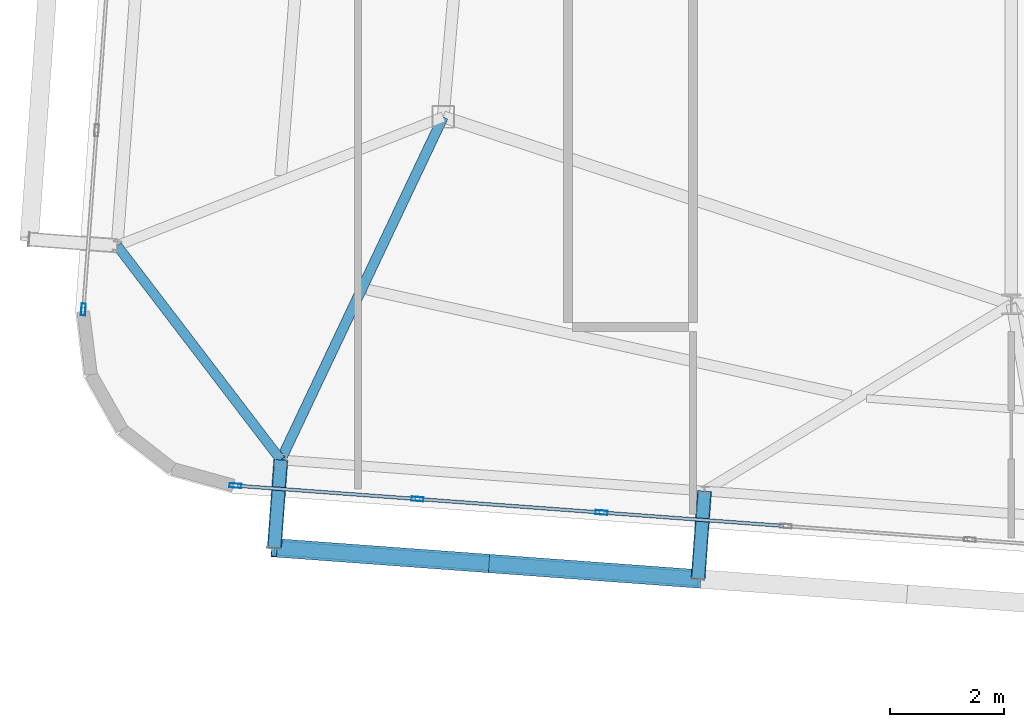
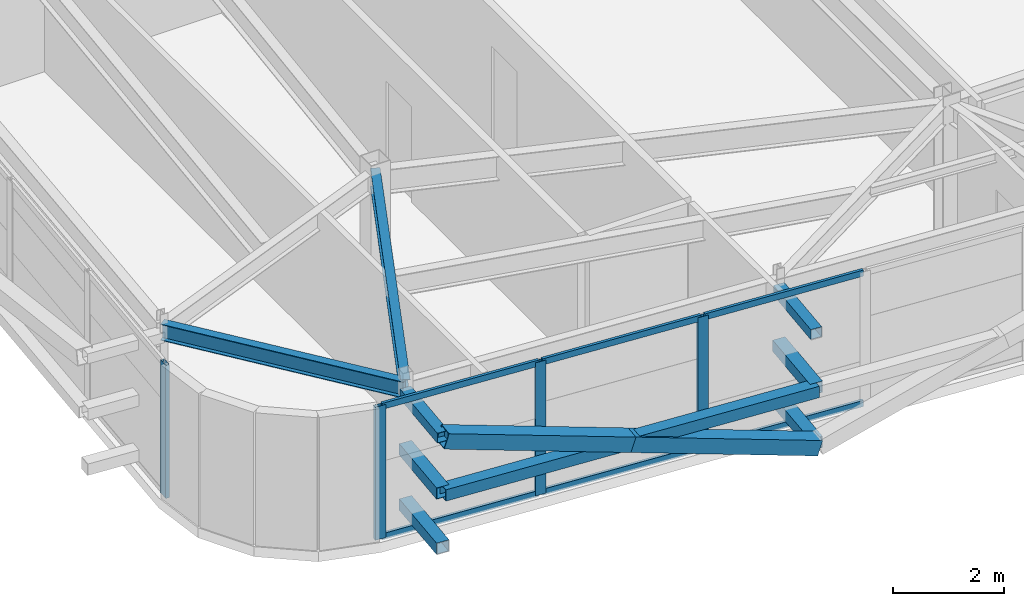
# One storey, part 9 of 42: 19 members, 2 beams, 2 elements without a shape of their own.
"""IFC4 building model written with IfcOpenShell, lengths in metres."""

from ifc_helpers import new_model, si_unit, direction, frame, origin, origin_2d, place, context, subcontext, project, spatial, hollow_rectangle, i_section, extrude, source, transform, mapped, material, layer, layer_set, material_profile, profile_set, type_object, element, aggregate, save


model = new_model("IFC4")

# Units and contexts
model_context = context("Model", 3, precision=1e-05, world=origin(), true_north=direction((0.0, 1.0)))
body_context = subcontext(model_context, "Body", "Model", "MODEL_VIEW")
ifc_project = project(units=[si_unit("LENGTHUNIT", "METRE"), si_unit("AREAUNIT", "SQUARE_METRE"), si_unit("VOLUMEUNIT", "CUBIC_METRE"), si_unit("PLANEANGLEUNIT", "RADIAN"), si_unit("MASSUNIT", "GRAM", prefix="KILO")], contexts=[model_context])

# Site, building, storey
site_placement = place(None, origin())
site = spatial("IfcSite", under=ifc_project, at=site_placement, CompositionType="ELEMENT")
building_placement = place(site_placement, origin())
building = spatial("IfcBuilding", under=site, at=building_placement, Name="Taldren Reach Tower", CompositionType="ELEMENT")
storey_placement = place(building_placement, frame((0.0, 0.0, 214.550048828125)))
storey = spatial("IfcBuildingStorey", under=building, at=storey_placement, Name="L65", CompositionType="ELEMENT", Elevation=214.550048828125)

# Members
ifc_material_1 = material(Name="Steel Gr 350 (C350L0)", Category="steel")
ifc_material_profile_1 = material_profile(ifc_material_1, hollow_rectangle(XDim=0.25, YDim=0.25, WallThickness=0.010009765625, at=origin_2d()), Name="250x250x10.0SHS")
ifc_profile_set_1 = profile_set([ifc_material_profile_1], Name="Steel Gr 350 (C350L0)")
member_type_1 = type_object("IfcMemberType", Name="MB-POST250", PredefinedType="POST", material=ifc_profile_set_1)
shared_shape_1 = source(origin(), body_context, "Body", "SweptSolid", [
    extrude(hollow_rectangle(XDim=0.25, YDim=0.25, WallThickness=0.010009765625, at=origin_2d()), origin(), (0.0, 0.0, 1.0), 1.5498046875),
])
for number, where, z_axis, x_axis, name in (
    (1, (22.6005859375, 5.912353515625, 0.219970703125), (-0.073250797913, -0.997313551801, 0.0), (0.997313551801, -0.073250797913, 0.0), "Exoskeleton base diaphragm tie strut B5-S2 L65"),
    (2, (22.6005859375, 5.912353515625, 1.43505859375), (-0.073250797913, -0.997313551801, 0.0), (0.997313551801, -0.073250797913, 0.0), "Exoskeleton mid-tier diaphragm tie B5-S2 L65"),
):
    element("IfcMember", number, at=place(storey_placement, frame(where, z_axis=z_axis, x_axis=x_axis)), inside=storey, type_object=member_type_1, Name=name, PredefinedType="POST", context=body_context, shape_type="MappedRepresentation", body=[
        mapped(shared_shape_1, transform((0.0, 0.0, 0.0), scale=1.0)),
    ])
shared_shape_2 = source(origin(), body_context, "Body", "SweptSolid", [
    extrude(hollow_rectangle(XDim=0.25, YDim=0.25, WallThickness=0.010009765625, at=origin_2d()), origin(), (0.0, 0.0, 1.0), 1.550048828125),
])
for number, where, z_axis, x_axis, name in (
    (3, (15.140625, 6.460205078125, 0.219970703125), (-0.07323929162, -0.997314396849, 0.0), (0.997314396849, -0.07323929162, 0.0), "Exoskeleton base diaphragm tie strut B5-S1 L65"),
    (4, (15.140625, 6.460205078125, 1.43505859375), (-0.07323929162, -0.997314396849, 0.0), (0.997314396849, -0.07323929162, 0.0), "Exoskeleton mid-tier diaphragm tie B5-S1 L65"),
):
    element("IfcMember", number, at=place(storey_placement, frame(where, z_axis=z_axis, x_axis=x_axis)), inside=storey, type_object=member_type_1, Name=name, PredefinedType="POST", context=body_context, shape_type="MappedRepresentation", body=[
        mapped(shared_shape_2, transform((0.0, 0.0, 0.0), scale=1.0)),
    ])
ifc_material_2 = material(Name="Steel Gr 450 (C450L0)", Category="steel")
ifc_material_profile_2 = material_profile(ifc_material_2, hollow_rectangle(XDim=0.219970703125, YDim=0.219970703125, WallThickness=0.00830078125, at=origin_2d()), Name="220x220x8.2SHS")
ifc_profile_set_2 = profile_set([ifc_material_profile_2], Name="Steel Gr 450 (C450L0)")
member_type_2 = type_object("IfcMemberType", Name="MB-TIE219", PredefinedType="STRUT", material=ifc_profile_set_2)
shared_shape_3 = source(origin(), body_context, "Body", "SweptSolid", [
    extrude(hollow_rectangle(XDim=0.219970703125, YDim=0.219970703125, WallThickness=0.00830078125, at=origin_2d()), origin(), (0.0, 0.0, 1.0), 1.5498046875),
])
member_1_placement = place(storey_placement, frame((22.6005859375, 5.912353515625, 2.64990234375), z_axis=(-0.073250797913, -0.997313551801, 0.0), x_axis=(0.997313551801, -0.073250797913, 0.0)))
element("IfcMember", 5, at=member_1_placement, inside=storey, type_object=member_type_2, Name="Exoskeleton diaphragm tie strut B5-S2 L65", PredefinedType="STRUT", context=body_context, shape_type="MappedRepresentation", body=[
    mapped(shared_shape_3, transform((0.0, 0.0, 0.0), scale=1.0)),
])
shared_shape_4 = source(origin(), body_context, "Body", "SweptSolid", [
    extrude(hollow_rectangle(XDim=0.219970703125, YDim=0.219970703125, WallThickness=0.00830078125, at=origin_2d()), origin(), (0.0, 0.0, 1.0), 1.550048828125),
])
member_2_placement = place(storey_placement, frame((15.140625, 6.460205078125, 2.64990234375), z_axis=(-0.07323929162, -0.997314396849, 0.0), x_axis=(0.997314396849, -0.07323929162, 0.0)))
element("IfcMember", 6, at=member_2_placement, inside=storey, type_object=member_type_2, Name="Exoskeleton diaphragm tie strut B5-S1 L65", PredefinedType="STRUT", context=body_context, shape_type="MappedRepresentation", body=[
    mapped(shared_shape_4, transform((0.0, 0.0, 0.0), scale=1.0)),
])

# Beams
ifc_material_3 = material(Name="Steel Gr 350 (350PLUS)", Category="steel")
ifc_material_profile_3 = material_profile(ifc_material_3, i_section(OverallWidth=0.172119140625, OverallDepth=0.35888671875, WebThickness=0.008056640625, FlangeThickness=0.012939453125, at=origin_2d()), Name="360UB56.7")
ifc_profile_set_3 = profile_set([ifc_material_profile_3], Name="Steel Gr 350 (350PLUS)")
beam_type_1 = type_object("IfcBeamType", Name="SP-UB360", PredefinedType="SPANDREL", material=ifc_profile_set_3)
shared_shape_5 = source(origin(), body_context, "Body", "SweptSolid", [
    extrude(i_section(OverallWidth=0.172119140625, OverallDepth=0.35888671875, WebThickness=0.008056640625, FlangeThickness=0.012939453125, at=origin_2d()), origin(), (0.0, 0.0, 1.0), 4.74609375),
])
beam_1_placement = place(storey_placement, frame((12.259033203125, 10.2314453125, 2.75048828125), z_axis=(0.607144568334, -0.794591387533, 0.0), x_axis=(0.794591387533, 0.607144568334, 0.0)))
element("IfcBeam", 7, at=beam_1_placement, inside=storey, type_object=beam_type_1, Name="Perimeter spandrel B5 W1-S1 L65", PredefinedType="SPANDREL", context=body_context, shape_type="MappedRepresentation", body=[
    mapped(shared_shape_5, transform((0.0, 0.0, 0.0), scale=1.0)),
])
ifc_material_profile_4 = material_profile(ifc_material_3, i_section(OverallWidth=0.177978515625, OverallDepth=0.406005859375, WebThickness=0.0078125, FlangeThickness=0.0126953125, at=origin_2d()), Name="410UB59.7")
ifc_profile_set_4 = profile_set([ifc_material_profile_4], Name="Steel Gr 350 (350PLUS)")
beam_type_2 = type_object("IfcBeamType", Name="BM-UB410", PredefinedType="BEAM", material=ifc_profile_set_4)
shared_shape_6 = source(origin(), body_context, "Body", "SweptSolid", [
    extrude(i_section(OverallWidth=0.177978515625, OverallDepth=0.406005859375, WebThickness=0.0078125, FlangeThickness=0.0126953125, at=origin_2d()), origin(), (0.0, 0.0, 1.0), 6.682373046875),
])
beam_2_placement = place(storey_placement, frame((18.0, 12.5, 2.72705078125), z_axis=(-0.427893164494, -0.903829320049, 0.0), x_axis=(0.903829320049, -0.427893164494, 0.0)))
element("IfcBeam", 8, at=beam_2_placement, inside=storey, type_object=beam_type_2, Name="Primary floor girder B5-S1 L65", PredefinedType="BEAM", context=body_context, shape_type="MappedRepresentation", body=[
    mapped(shared_shape_6, transform((0.0, 0.0, 0.0), scale=1.0)),
])

# Members
ifc_material_profile_5 = material_profile(ifc_material_2, hollow_rectangle(XDim=0.324951171875, YDim=0.324951171875, WallThickness=0.0126953125, at=origin_2d()), Name="325x325x12.7SHS")
ifc_profile_set_5 = profile_set([ifc_material_profile_5], Name="Steel Gr 450 (C450L0)")
member_type_3 = type_object("IfcMemberType", Name="MB-BR324", PredefinedType="BRACE", material=ifc_profile_set_5)
shared_shape_7 = source(origin(), body_context, "Body", "SweptSolid", [
    extrude(hollow_rectangle(XDim=0.324951171875, YDim=0.324951171875, WallThickness=0.0126953125, at=origin_2d()), origin(), (0.0, 0.0, 1.0), 3.932373046875),
])
for number, where, z_axis, x_axis, name in (
    (9, (22.487060546875, 4.36669921875, 0.219970703125), (-0.948515232963, 0.069595861772, 0.308990726172), (-0.073176762938, -0.997318986767, 0.0), "Exoskeleton Diagrid Brace B5-S1 L65"),
    (10, (18.757080078125, 4.640380859375, 1.43505859375), (-0.948529326954, 0.06965898055, 0.308933232813), (-0.07324169103, -0.997314220642, 0.0), "Exoskeleton Diagrid Brace B5-S1 L65"),
):
    element("IfcMember", number, at=place(storey_placement, frame(where, z_axis=z_axis, x_axis=x_axis)), inside=storey, type_object=member_type_3, Name=name, PredefinedType="BRACE", context=body_context, shape_type="MappedRepresentation", body=[
        mapped(shared_shape_7, transform((0.0, 0.0, 0.0), scale=1.0)),
    ])
shared_shape_8 = source(origin(), body_context, "Body", "SweptSolid", [
    extrude(hollow_rectangle(XDim=0.25, YDim=0.25, WallThickness=0.010009765625, at=origin_2d()), origin(), (0.0, 0.0, 1.0), 7.47998046875),
])
member_3_placement = place(storey_placement, frame((15.027099609375, 4.914306640625, 1.43505859375), z_axis=(0.997316604227, -0.0732092271, 0.0), x_axis=(0.0732092271, 0.997316604227, 0.0)))
element("IfcMember", 11, at=member_3_placement, inside=storey, type_object=member_type_1, Name="Exoskeleton mid-height ring chord B5-S1 L65", PredefinedType="POST", context=body_context, shape_type="MappedRepresentation", body=[
    mapped(shared_shape_8, transform((0.0, 0.0, 0.0), scale=1.0)),
])

# Curtain wall, members
ifc_material_4 = material(Name="Aluminium and Low-E Glass Unitised System", Category="aluminium")
ifc_layer = layer(ifc_material_4, 0.159912109375)
ifc_layer_set = layer_set([ifc_layer], Name="Aluminium and Low-E Glass Unitised System")
curtain_wall_type = type_object("IfcCurtainWallType", Name="CW-SYS-6", PredefinedType="NOTDEFINED", material=ifc_layer_set)
curtain_wall_1_placement = place(storey_placement, origin())
curtain_wall_1 = element("IfcCurtainWall", 12, at=curtain_wall_1_placement, inside=storey, type_object=curtain_wall_type, Name="Unitised curtain wall CW-L65-S", PredefinedType="NOTDEFINED")
ifc_material_5 = material(Name="Anodised Aluminium 6063-T6", Category="aluminium")
ifc_material_profile_6 = material_profile(ifc_material_5, hollow_rectangle(XDim=0.074951171875, YDim=0.2099609375, WallThickness=0.00439453125, at=origin_2d()), Name="ALU-210x75x4.5RHS")
ifc_profile_set_6 = profile_set([ifc_material_profile_6], Name="Anodised Aluminium 6063-T6")
member_type_4 = type_object("IfcMemberType", Name="CW-MUL-200", PredefinedType="MULLION", material=ifc_profile_set_6)
shared_shape_9 = source(origin(), body_context, "Body", "SweptSolid", [
    extrude(hollow_rectangle(XDim=0.074951171875, YDim=0.2099609375, WallThickness=0.00439453125, at=origin_2d()), origin(), (0.0, 0.0, 1.0), 2.929931640625),
])
member_4_placement = place(storey_placement, frame((14.3427734375, 6.007568359375, 0.0), z_axis=(0.0, 0.0, 1.0), x_axis=(0.073238213716, 0.997314476006, 0.0)))
member_4 = element("IfcMember", 13, at=member_4_placement, type_object=member_type_4, Name="CW-6 mullion 1", PredefinedType="MULLION", context=body_context, shape_type="MappedRepresentation", body=[
    mapped(shared_shape_9, transform((0.0, 0.0, 0.0), scale=1.0)),
])
member_5_placement = place(storey_placement, frame((17.546630859375, 5.772216796875, 0.0), z_axis=(0.0, 0.0, 1.0), x_axis=(0.073238213716, 0.997314476006, 0.0)))
member_5 = element("IfcMember", 14, at=member_5_placement, type_object=member_type_4, Name="CW-6 mullion 2", PredefinedType="MULLION", context=body_context, shape_type="MappedRepresentation", body=[
    mapped(shared_shape_9, transform((0.0, 0.0, 0.0), scale=1.0)),
])
member_6_placement = place(storey_placement, frame((20.7880859375, 5.5341796875, 0.0), z_axis=(0.0, 0.0, 1.0), x_axis=(0.073238213716, 0.997314476006, 0.0)))
member_6 = element("IfcMember", 15, at=member_6_placement, type_object=member_type_4, Name="CW-6 mullion 3", PredefinedType="MULLION", context=body_context, shape_type="MappedRepresentation", body=[
    mapped(shared_shape_9, transform((0.0, 0.0, 0.0), scale=1.0)),
])

# Curtain wall, member
curtain_wall_2_placement = place(storey_placement, origin())
curtain_wall_2 = element("IfcCurtainWall", 16, at=curtain_wall_2_placement, inside=storey, type_object=curtain_wall_type, Name="Unitised curtain wall CW-L65-W", PredefinedType="NOTDEFINED")
member_7_placement = place(storey_placement, frame((11.665283203125, 9.109375, 0.0), z_axis=(0.0, 0.0, 1.0), x_axis=(0.997314470951, -0.073238282558, 0.0)))
member_7 = element("IfcMember", 17, at=member_7_placement, type_object=member_type_4, Name="CW-6 mullion 9", PredefinedType="MULLION", context=body_context, shape_type="MappedRepresentation", body=[
    mapped(shared_shape_9, transform((0.0, 0.0, 0.0), scale=1.0)),
])
aggregate(curtain_wall_2, [member_7])

# Member
ifc_material_profile_7 = material_profile(ifc_material_5, hollow_rectangle(XDim=0.06005859375, YDim=0.135009765625, WallThickness=0.00341796875, at=origin_2d()), Name="ALU-135x60x3.5RHS")
ifc_profile_set_7 = profile_set([ifc_material_profile_7], Name="Anodised Aluminium 6063-T6")
member_type_5 = type_object("IfcMemberType", Name="CW-TRN-150", PredefinedType="USERDEFINED", material=ifc_profile_set_7)
shared_shape_10 = source(origin(), body_context, "Body", "SweptSolid", [
    extrude(hollow_rectangle(XDim=0.06005859375, YDim=0.135009765625, WallThickness=0.00341796875, at=origin_2d()), origin(), (0.0, 0.0, 1.0), 3.13720703125),
])
member_8_placement = place(storey_placement, frame((14.38037109375, 6.004638671875, 0.030029296875), z_axis=(0.997315319572, -0.073226725633, 0.0), x_axis=(0.073226725633, 0.997315319572, 0.0)))
member_8 = element("IfcMember", 18, at=member_8_placement, type_object=member_type_5, Name="CW-6 transom 1.1", ObjectType="TRANSOM", PredefinedType="USERDEFINED", context=body_context, shape_type="MappedRepresentation", body=[
    mapped(shared_shape_10, transform((0.0, 0.0, 0.0), scale=1.0)),
])

member_9_placement = place(storey_placement, frame((14.38037109375, 6.004638671875, 2.89990234375), z_axis=(0.997315319572, -0.073226725633, 0.0), x_axis=(0.073226725633, 0.997315319572, 0.0)))
member_9 = element("IfcMember", 19, at=member_9_placement, type_object=member_type_5, Name="CW-6 transom 1.2", ObjectType="TRANSOM", PredefinedType="USERDEFINED", context=body_context, shape_type="MappedRepresentation", body=[
    mapped(shared_shape_10, transform((0.0, 0.0, 0.0), scale=1.0)),
])

shared_shape_11 = source(origin(), body_context, "Body", "SweptSolid", [
    extrude(hollow_rectangle(XDim=0.06005859375, YDim=0.135009765625, WallThickness=0.00341796875, at=origin_2d()), origin(), (0.0, 0.0, 1.0), 3.1748046875),
])
member_10_placement = place(storey_placement, frame((17.584228515625, 5.76953125, 0.030029296875), z_axis=(0.997311015151, -0.07328532635, 0.0), x_axis=(0.07328532635, 0.997311015151, 0.0)))
member_10 = element("IfcMember", 20, at=member_10_placement, type_object=member_type_5, Name="CW-6 transom 2.1", ObjectType="TRANSOM", PredefinedType="USERDEFINED", context=body_context, shape_type="MappedRepresentation", body=[
    mapped(shared_shape_11, transform((0.0, 0.0, 0.0), scale=1.0)),
])

member_11_placement = place(storey_placement, frame((17.584228515625, 5.76953125, 2.89990234375), z_axis=(0.997311015151, -0.07328532635, 0.0), x_axis=(0.07328532635, 0.997311015151, 0.0)))
member_11 = element("IfcMember", 21, at=member_11_placement, type_object=member_type_5, Name="CW-6 transom 2.2", ObjectType="TRANSOM", PredefinedType="USERDEFINED", context=body_context, shape_type="MappedRepresentation", body=[
    mapped(shared_shape_11, transform((0.0, 0.0, 0.0), scale=1.0)),
])

shared_shape_12 = source(origin(), body_context, "Body", "SweptSolid", [
    extrude(hollow_rectangle(XDim=0.06005859375, YDim=0.135009765625, WallThickness=0.00341796875, at=origin_2d()), origin(), (0.0, 0.0, 1.0), 3.175048828125),
])
member_12_placement = place(storey_placement, frame((20.825439453125, 5.531494140625, 0.030029296875), z_axis=(0.997311428111, -0.073279706322, 0.0), x_axis=(0.073279706322, 0.997311428111, 0.0)))
member_12 = element("IfcMember", 22, at=member_12_placement, type_object=member_type_5, Name="CW-6 transom 3.1", ObjectType="TRANSOM", PredefinedType="USERDEFINED", context=body_context, shape_type="MappedRepresentation", body=[
    mapped(shared_shape_12, transform((0.0, 0.0, 0.0), scale=1.0)),
])

member_13_placement = place(storey_placement, frame((20.825439453125, 5.531494140625, 2.89990234375), z_axis=(0.997311428111, -0.073279706322, 0.0), x_axis=(0.073279706322, 0.997311428111, 0.0)))
member_13 = element("IfcMember", 23, at=member_13_placement, type_object=member_type_5, Name="CW-6 transom 3.2", ObjectType="TRANSOM", PredefinedType="USERDEFINED", context=body_context, shape_type="MappedRepresentation", body=[
    mapped(shared_shape_12, transform((0.0, 0.0, 0.0), scale=1.0)),
])

aggregate(curtain_wall_1, [member_4, member_5, member_6, member_8, member_9, member_10, member_11, member_12, member_13])

save(model, "model.ifc")
